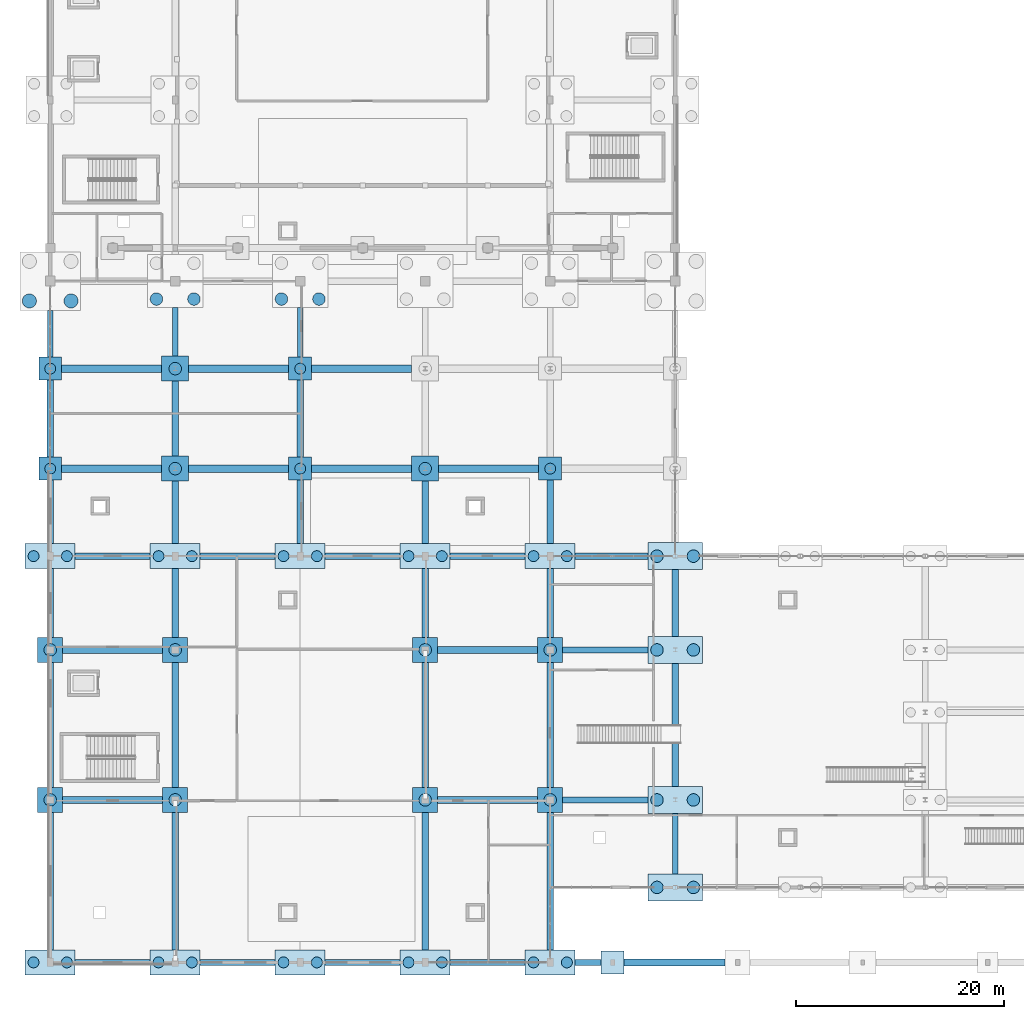
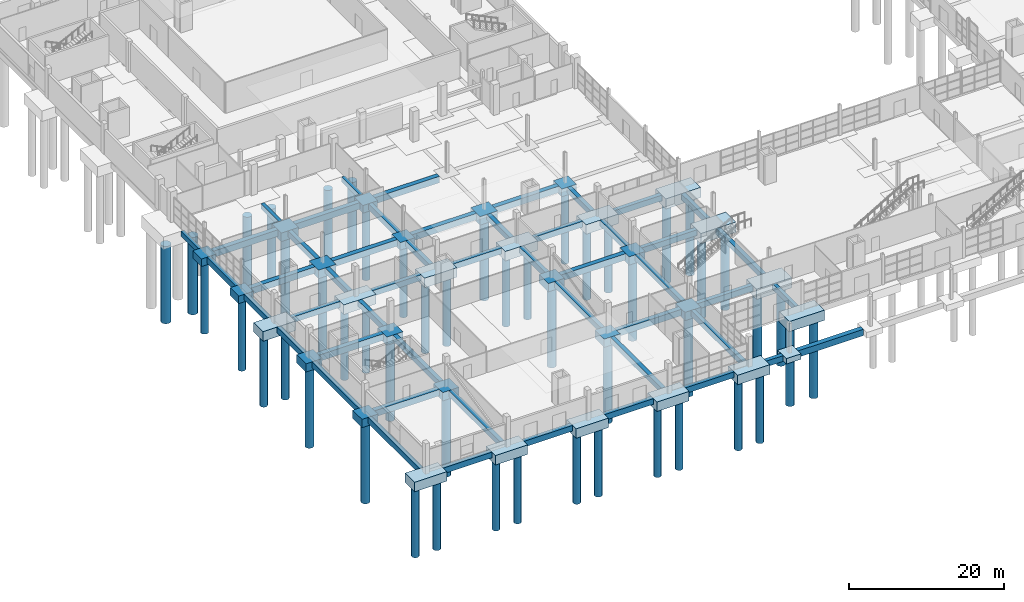
# One storey, part 1 of 82: 81 footings, 50 piles.
"""IFC4 building model written with IfcOpenShell, lengths in metres."""

from ifc_helpers import new_model, si_unit, direction, frame, origin, origin_2d, place, context, subcontext, project, spatial, rectangle, circle, extrude, material, material_profile, profile_set, type_object, element, save


model = new_model("IFC4")

# Units and contexts
model_context = context("Model", 3, precision=1e-05, world=origin(), true_north=direction((0.0, 1.0)))
body_context = subcontext(model_context, "Body", "Model", "MODEL_VIEW")
ifc_project = project(units=[si_unit("LENGTHUNIT", "METRE"), si_unit("AREAUNIT", "SQUARE_METRE"), si_unit("VOLUMEUNIT", "CUBIC_METRE"), si_unit("PLANEANGLEUNIT", "RADIAN"), si_unit("MASSUNIT", "GRAM", prefix="KILO")], contexts=[model_context])

# Site, building, storey
site_placement = place(None, origin())
site = spatial("IfcSite", under=ifc_project, at=site_placement, CompositionType="ELEMENT")
building_placement = place(site_placement, origin())
building = spatial("IfcBuilding", under=site, at=building_placement, Name="Kelmvaro Bay Concert Hall", CompositionType="ELEMENT")
storey_placement = place(building_placement, origin())
storey = spatial("IfcBuildingStorey", under=building, at=storey_placement, Name="L00", CompositionType="ELEMENT", Elevation=0.0)

# Footings
ifc_material_1 = material(Name="Concrete C35/45", Category="concrete")
footing_type_1 = type_object("IfcFootingType", Name="Grade Tie Beam 500x800", PredefinedType="FOOTING_BEAM", material=ifc_material_1)
footing_1_placement = place(storey_placement, frame((0.0, 60.35009765625, -0.7998046875), z_axis=(0.0, 0.0, 1.0), x_axis=(0.0, 1.0, 0.0)))
element("IfcFooting", 1, at=footing_1_placement, inside=storey, type_object=footing_type_1, Name="Grade Tie Beam FDN-TB-112", PredefinedType="FOOTING_BEAM", context=body_context, shape_type="SweptSolid", body=[
    extrude(rectangle(XDim=4.5, YDim=0.5, at=origin_2d()), origin(), (0.0, 0.0, 1.0), 0.800048828125),
])
footing_2_placement = place(storey_placement, frame((12.0, 60.52490234375, -0.7998046875), z_axis=(0.0, 0.0, 1.0), x_axis=(0.0, 1.0, 0.0)))
element("IfcFooting", 2, at=footing_2_placement, inside=storey, type_object=footing_type_1, Name="Grade Tie Beam FDN-TB-121", PredefinedType="FOOTING_BEAM", context=body_context, shape_type="SweptSolid", body=[
    extrude(rectangle(XDim=4.64990234375, YDim=0.5, at=origin_2d()), origin(), (0.0, 0.0, 1.0), 0.800048828125),
])
footing_3_placement = place(storey_placement, frame((24.0, 60.47509765625, -0.7998046875), z_axis=(0.0, 0.0, 1.0), x_axis=(0.0, 1.0, 0.0)))
element("IfcFooting", 3, at=footing_3_placement, inside=storey, type_object=footing_type_1, Name="Grade Tie Beam FDN-TB-127", PredefinedType="FOOTING_BEAM", context=body_context, shape_type="SweptSolid", body=[
    extrude(rectangle(XDim=4.75, YDim=0.5, at=origin_2d()), origin(), (0.0, 0.0, 1.0), 0.800048828125),
])
footing_4_placement = place(storey_placement, frame((60.0, 11.39990234375, -0.7998046875), z_axis=(0.0, 0.0, 1.0), x_axis=(0.0, 1.0, 0.0)))
element("IfcFooting", 4, at=footing_4_placement, inside=storey, type_object=footing_type_1, Name="Grade Tie Beam FDN-TB-143", PredefinedType="FOOTING_BEAM", context=body_context, shape_type="SweptSolid", body=[
    extrude(rectangle(XDim=5.800048828125, YDim=0.5, at=origin_2d()), origin(), (0.0, 0.0, 1.0), 0.800048828125),
])
ifc_material_2 = material(Name="Concrete C35/45", Category="concrete")
footing_type_2 = type_object("IfcFootingType", Name="Grade Tie Beam 600x900", PredefinedType="FOOTING_BEAM", material=ifc_material_2)
for number, where, z_axis, x_axis, name in (
    (5, (6.0, 0.0, -0.89990234375), (0.0, 0.0, 1.0), (1.0, 0.0, 0.0), "Grade Tie Beam FDN-TB-001"),
    (6, (18.0, 0.0, -0.89990234375), (0.0, 0.0, 1.0), (1.0, 0.0, 0.0), "Grade Tie Beam FDN-TB-002"),
    (7, (30.0, 0.0, -0.89990234375), (0.0, 0.0, 1.0), (1.0, 0.0, 0.0), "Grade Tie Beam FDN-TB-003"),
    (8, (42.0, 0.0, -0.89990234375), (0.0, 0.0, 1.0), (1.0, 0.0, 0.0), "Grade Tie Beam FDN-TB-004"),
):
    element("IfcFooting", number, at=place(storey_placement, frame(where, z_axis=z_axis, x_axis=x_axis)), inside=storey, type_object=footing_type_2, Name=name, PredefinedType="FOOTING_BEAM", context=body_context, shape_type="SweptSolid", body=[
        extrude(rectangle(XDim=7.199951171875, YDim=0.60009765625, at=origin_2d()), origin(), (0.0, 0.0, 1.0), 0.89990234375),
    ])
footing_5_placement = place(storey_placement, frame((51.64990234375, 0.0, -0.89990234375), z_axis=(0.0, 0.0, 1.0), x_axis=(1.0, 0.0, 0.0)))
element("IfcFooting", 9, at=footing_5_placement, inside=storey, type_object=footing_type_2, Name="Grade Tie Beam FDN-TB-005", PredefinedType="FOOTING_BEAM", context=body_context, shape_type="SweptSolid", body=[
    extrude(rectangle(XDim=2.5, YDim=0.60009765625, at=origin_2d()), origin(), (0.0, 0.0, 1.0), 0.89990234375),
])
for number, where, z_axis, x_axis, name in (
    (10, (53.300048828125, 15.60009765625, -0.89990234375), (0.0, 0.0, 1.0), (1.0, 0.0, 0.0), "Grade Tie Beam FDN-TB-018"),
    (11, (53.300048828125, 30.0, -0.89990234375), (0.0, 0.0, 1.0), (1.0, 0.0, 0.0), "Grade Tie Beam FDN-TB-033"),
):
    element("IfcFooting", number, at=place(storey_placement, frame(where, z_axis=z_axis, x_axis=x_axis)), inside=storey, type_object=footing_type_2, Name=name, PredefinedType="FOOTING_BEAM", context=body_context, shape_type="SweptSolid", body=[
        extrude(rectangle(XDim=8.199951171875, YDim=0.60009765625, at=origin_2d()), origin(), (0.0, 0.0, 1.0), 0.89990234375),
    ])
for number, where, z_axis, x_axis, name in (
    (12, (6.0, 39.0, -0.89990234375), (0.0, 0.0, 1.0), (1.0, 0.0, 0.0), "Grade Tie Beam FDN-TB-041"),
    (13, (18.0, 39.0, -0.89990234375), (0.0, 0.0, 1.0), (1.0, 0.0, 0.0), "Grade Tie Beam FDN-TB-042"),
    (14, (30.0, 39.0, -0.89990234375), (0.0, 0.0, 1.0), (1.0, 0.0, 0.0), "Grade Tie Beam FDN-TB-043"),
    (15, (42.0, 39.0, -0.89990234375), (0.0, 0.0, 1.0), (1.0, 0.0, 0.0), "Grade Tie Beam FDN-TB-044"),
):
    element("IfcFooting", number, at=place(storey_placement, frame(where, z_axis=z_axis, x_axis=x_axis)), inside=storey, type_object=footing_type_2, Name=name, PredefinedType="FOOTING_BEAM", context=body_context, shape_type="SweptSolid", body=[
        extrude(rectangle(XDim=7.199951171875, YDim=0.60009765625, at=origin_2d()), origin(), (0.0, 0.0, 1.0), 0.89990234375),
    ])
footing_6_placement = place(storey_placement, frame((53.89990234375, 39.0, -0.89990234375), z_axis=(0.0, 0.0, 1.0), x_axis=(1.0, 0.0, 0.0)))
element("IfcFooting", 16, at=footing_6_placement, inside=storey, type_object=footing_type_2, Name="Grade Tie Beam FDN-TB-045", PredefinedType="FOOTING_BEAM", context=body_context, shape_type="SweptSolid", body=[
    extrude(rectangle(XDim=7.0, YDim=0.60009765625, at=origin_2d()), origin(), (0.0, 0.0, 1.0), 0.89990234375),
])
footing_7_placement = place(storey_placement, frame((0.0, 7.800048828125, -0.89990234375), z_axis=(0.0, 0.0, 1.0), x_axis=(0.0, 1.0, 0.0)))
element("IfcFooting", 17, at=footing_7_placement, inside=storey, type_object=footing_type_2, Name="Grade Tie Beam FDN-TB-107", PredefinedType="FOOTING_BEAM", context=body_context, shape_type="SweptSolid", body=[
    extrude(rectangle(XDim=13.199951171875, YDim=0.60009765625, at=origin_2d()), origin(), (0.0, 0.0, 1.0), 0.89990234375),
])
footing_8_placement = place(storey_placement, frame((0.0, 22.800048828125, -0.89990234375), z_axis=(0.0, 0.0, 1.0), x_axis=(0.0, 1.0, 0.0)))
element("IfcFooting", 18, at=footing_8_placement, inside=storey, type_object=footing_type_2, Name="Grade Tie Beam FDN-TB-108", PredefinedType="FOOTING_BEAM", context=body_context, shape_type="SweptSolid", body=[
    extrude(rectangle(XDim=12.0, YDim=0.60009765625, at=origin_2d()), origin(), (0.0, 0.0, 1.0), 0.89990234375),
])
footing_9_placement = place(storey_placement, frame((0.0, 34.5, -0.89990234375), z_axis=(0.0, 0.0, 1.0), x_axis=(0.0, 1.0, 0.0)))
element("IfcFooting", 19, at=footing_9_placement, inside=storey, type_object=footing_type_2, Name="Grade Tie Beam FDN-TB-109", PredefinedType="FOOTING_BEAM", context=body_context, shape_type="SweptSolid", body=[
    extrude(rectangle(XDim=6.60009765625, YDim=0.60009765625, at=origin_2d()), origin(), (0.0, 0.0, 1.0), 0.89990234375),
])
footing_10_placement = place(storey_placement, frame((0.0, 43.25, -0.89990234375), z_axis=(0.0, 0.0, 1.0), x_axis=(0.0, 1.0, 0.0)))
element("IfcFooting", 20, at=footing_10_placement, inside=storey, type_object=footing_type_2, Name="Grade Tie Beam FDN-TB-110", PredefinedType="FOOTING_BEAM", context=body_context, shape_type="SweptSolid", body=[
    extrude(rectangle(XDim=6.10009765625, YDim=0.60009765625, at=origin_2d()), origin(), (0.0, 0.0, 1.0), 0.89990234375),
])
footing_11_placement = place(storey_placement, frame((0.0, 52.199951171875, -0.89990234375), z_axis=(0.0, 0.0, 1.0), x_axis=(0.0, 1.0, 0.0)))
element("IfcFooting", 21, at=footing_11_placement, inside=storey, type_object=footing_type_2, Name="Grade Tie Beam FDN-TB-111", PredefinedType="FOOTING_BEAM", context=body_context, shape_type="SweptSolid", body=[
    extrude(rectangle(XDim=7.39990234375, YDim=0.60009765625, at=origin_2d()), origin(), (0.0, 0.0, 1.0), 0.89990234375),
])
footing_12_placement = place(storey_placement, frame((12.0, 7.800048828125, -0.89990234375), z_axis=(0.0, 0.0, 1.0), x_axis=(0.0, 1.0, 0.0)))
element("IfcFooting", 22, at=footing_12_placement, inside=storey, type_object=footing_type_2, Name="Grade Tie Beam FDN-TB-116", PredefinedType="FOOTING_BEAM", context=body_context, shape_type="SweptSolid", body=[
    extrude(rectangle(XDim=13.199951171875, YDim=0.60009765625, at=origin_2d()), origin(), (0.0, 0.0, 1.0), 0.89990234375),
])
footing_13_placement = place(storey_placement, frame((12.0, 22.800048828125, -0.89990234375), z_axis=(0.0, 0.0, 1.0), x_axis=(0.0, 1.0, 0.0)))
element("IfcFooting", 23, at=footing_13_placement, inside=storey, type_object=footing_type_2, Name="Grade Tie Beam FDN-TB-117", PredefinedType="FOOTING_BEAM", context=body_context, shape_type="SweptSolid", body=[
    extrude(rectangle(XDim=12.0, YDim=0.60009765625, at=origin_2d()), origin(), (0.0, 0.0, 1.0), 0.89990234375),
])
footing_14_placement = place(storey_placement, frame((12.0, 34.5, -0.89990234375), z_axis=(0.0, 0.0, 1.0), x_axis=(0.0, 1.0, 0.0)))
element("IfcFooting", 24, at=footing_14_placement, inside=storey, type_object=footing_type_2, Name="Grade Tie Beam FDN-TB-118", PredefinedType="FOOTING_BEAM", context=body_context, shape_type="SweptSolid", body=[
    extrude(rectangle(XDim=6.60009765625, YDim=0.60009765625, at=origin_2d()), origin(), (0.0, 0.0, 1.0), 0.89990234375),
])
footing_15_placement = place(storey_placement, frame((12.0, 43.199951171875, -0.89990234375), z_axis=(0.0, 0.0, 1.0), x_axis=(0.0, 1.0, 0.0)))
element("IfcFooting", 25, at=footing_15_placement, inside=storey, type_object=footing_type_2, Name="Grade Tie Beam FDN-TB-119", PredefinedType="FOOTING_BEAM", context=body_context, shape_type="SweptSolid", body=[
    extrude(rectangle(XDim=6.0, YDim=0.60009765625, at=origin_2d()), origin(), (0.0, 0.0, 1.0), 0.89990234375),
])
footing_16_placement = place(storey_placement, frame((12.0, 52.199951171875, -0.89990234375), z_axis=(0.0, 0.0, 1.0), x_axis=(0.0, 1.0, 0.0)))
element("IfcFooting", 26, at=footing_16_placement, inside=storey, type_object=footing_type_2, Name="Grade Tie Beam FDN-TB-120", PredefinedType="FOOTING_BEAM", context=body_context, shape_type="SweptSolid", body=[
    extrude(rectangle(XDim=7.199951171875, YDim=0.60009765625, at=origin_2d()), origin(), (0.0, 0.0, 1.0), 0.89990234375),
])
footing_17_placement = place(storey_placement, frame((24.0, 43.25, -0.89990234375), z_axis=(0.0, 0.0, 1.0), x_axis=(0.0, 1.0, 0.0)))
element("IfcFooting", 27, at=footing_17_placement, inside=storey, type_object=footing_type_2, Name="Grade Tie Beam FDN-TB-125", PredefinedType="FOOTING_BEAM", context=body_context, shape_type="SweptSolid", body=[
    extrude(rectangle(XDim=6.10009765625, YDim=0.60009765625, at=origin_2d()), origin(), (0.0, 0.0, 1.0), 0.89990234375),
])
footing_18_placement = place(storey_placement, frame((24.0, 52.199951171875, -0.89990234375), z_axis=(0.0, 0.0, 1.0), x_axis=(0.0, 1.0, 0.0)))
element("IfcFooting", 28, at=footing_18_placement, inside=storey, type_object=footing_type_2, Name="Grade Tie Beam FDN-TB-126", PredefinedType="FOOTING_BEAM", context=body_context, shape_type="SweptSolid", body=[
    extrude(rectangle(XDim=7.39990234375, YDim=0.60009765625, at=origin_2d()), origin(), (0.0, 0.0, 1.0), 0.89990234375),
])
footing_19_placement = place(storey_placement, frame((36.0, 7.800048828125, -0.89990234375), z_axis=(0.0, 0.0, 1.0), x_axis=(0.0, 1.0, 0.0)))
element("IfcFooting", 29, at=footing_19_placement, inside=storey, type_object=footing_type_2, Name="Grade Tie Beam FDN-TB-128", PredefinedType="FOOTING_BEAM", context=body_context, shape_type="SweptSolid", body=[
    extrude(rectangle(XDim=13.199951171875, YDim=0.60009765625, at=origin_2d()), origin(), (0.0, 0.0, 1.0), 0.89990234375),
])
footing_20_placement = place(storey_placement, frame((36.0, 22.800048828125, -0.89990234375), z_axis=(0.0, 0.0, 1.0), x_axis=(0.0, 1.0, 0.0)))
element("IfcFooting", 30, at=footing_20_placement, inside=storey, type_object=footing_type_2, Name="Grade Tie Beam FDN-TB-129", PredefinedType="FOOTING_BEAM", context=body_context, shape_type="SweptSolid", body=[
    extrude(rectangle(XDim=12.0, YDim=0.60009765625, at=origin_2d()), origin(), (0.0, 0.0, 1.0), 0.89990234375),
])
footing_21_placement = place(storey_placement, frame((36.0, 34.5, -0.89990234375), z_axis=(0.0, 0.0, 1.0), x_axis=(0.0, 1.0, 0.0)))
element("IfcFooting", 31, at=footing_21_placement, inside=storey, type_object=footing_type_2, Name="Grade Tie Beam FDN-TB-130", PredefinedType="FOOTING_BEAM", context=body_context, shape_type="SweptSolid", body=[
    extrude(rectangle(XDim=6.60009765625, YDim=0.60009765625, at=origin_2d()), origin(), (0.0, 0.0, 1.0), 0.89990234375),
])
footing_22_placement = place(storey_placement, frame((36.0, 43.199951171875, -0.89990234375), z_axis=(0.0, 0.0, 1.0), x_axis=(0.0, 1.0, 0.0)))
element("IfcFooting", 32, at=footing_22_placement, inside=storey, type_object=footing_type_2, Name="Grade Tie Beam FDN-TB-131", PredefinedType="FOOTING_BEAM", context=body_context, shape_type="SweptSolid", body=[
    extrude(rectangle(XDim=6.0, YDim=0.60009765625, at=origin_2d()), origin(), (0.0, 0.0, 1.0), 0.89990234375),
])
footing_23_placement = place(storey_placement, frame((48.0, 7.800048828125, -0.89990234375), z_axis=(0.0, 0.0, 1.0), x_axis=(0.0, 1.0, 0.0)))
element("IfcFooting", 33, at=footing_23_placement, inside=storey, type_object=footing_type_2, Name="Grade Tie Beam FDN-TB-134", PredefinedType="FOOTING_BEAM", context=body_context, shape_type="SweptSolid", body=[
    extrude(rectangle(XDim=13.199951171875, YDim=0.60009765625, at=origin_2d()), origin(), (0.0, 0.0, 1.0), 0.89990234375),
])
footing_24_placement = place(storey_placement, frame((48.0, 22.800048828125, -0.89990234375), z_axis=(0.0, 0.0, 1.0), x_axis=(0.0, 1.0, 0.0)))
element("IfcFooting", 34, at=footing_24_placement, inside=storey, type_object=footing_type_2, Name="Grade Tie Beam FDN-TB-135", PredefinedType="FOOTING_BEAM", context=body_context, shape_type="SweptSolid", body=[
    extrude(rectangle(XDim=12.0, YDim=0.60009765625, at=origin_2d()), origin(), (0.0, 0.0, 1.0), 0.89990234375),
])
footing_25_placement = place(storey_placement, frame((48.0, 34.5, -0.89990234375), z_axis=(0.0, 0.0, 1.0), x_axis=(0.0, 1.0, 0.0)))
element("IfcFooting", 35, at=footing_25_placement, inside=storey, type_object=footing_type_2, Name="Grade Tie Beam FDN-TB-136", PredefinedType="FOOTING_BEAM", context=body_context, shape_type="SweptSolid", body=[
    extrude(rectangle(XDim=6.60009765625, YDim=0.60009765625, at=origin_2d()), origin(), (0.0, 0.0, 1.0), 0.89990234375),
])
footing_26_placement = place(storey_placement, frame((48.0, 43.25, -0.89990234375), z_axis=(0.0, 0.0, 1.0), x_axis=(0.0, 1.0, 0.0)))
element("IfcFooting", 36, at=footing_26_placement, inside=storey, type_object=footing_type_2, Name="Grade Tie Beam FDN-TB-137", PredefinedType="FOOTING_BEAM", context=body_context, shape_type="SweptSolid", body=[
    extrude(rectangle(XDim=6.10009765625, YDim=0.60009765625, at=origin_2d()), origin(), (0.0, 0.0, 1.0), 0.89990234375),
])
footing_27_placement = place(storey_placement, frame((60.0, 22.800048828125, -0.89990234375), z_axis=(0.0, 0.0, 1.0), x_axis=(0.0, 1.0, 0.0)))
element("IfcFooting", 37, at=footing_27_placement, inside=storey, type_object=footing_type_2, Name="Grade Tie Beam FDN-TB-144", PredefinedType="FOOTING_BEAM", context=body_context, shape_type="SweptSolid", body=[
    extrude(rectangle(XDim=11.800048828125, YDim=0.60009765625, at=origin_2d()), origin(), (0.0, 0.0, 1.0), 0.89990234375),
])
footing_28_placement = place(storey_placement, frame((60.0, 34.5, -0.89990234375), z_axis=(0.0, 0.0, 1.0), x_axis=(0.0, 1.0, 0.0)))
element("IfcFooting", 38, at=footing_28_placement, inside=storey, type_object=footing_type_2, Name="Grade Tie Beam FDN-TB-145", PredefinedType="FOOTING_BEAM", context=body_context, shape_type="SweptSolid", body=[
    extrude(rectangle(XDim=6.39990234375, YDim=0.60009765625, at=origin_2d()), origin(), (0.0, 0.0, 1.0), 0.89990234375),
])
ifc_material_3 = material(Name="Concrete C35/45", Category="concrete")
footing_type_3 = type_object("IfcFootingType", Name="Grade Tie Beam 700x1000", PredefinedType="FOOTING_BEAM", material=ifc_material_3)
footing_29_placement = place(storey_placement, frame((59.949951171875, 0.0, -1.0), z_axis=(0.0, 0.0, 1.0), x_axis=(1.0, 0.0, 0.0)))
element("IfcFooting", 39, at=footing_29_placement, inside=storey, type_object=footing_type_3, Name="Grade Tie Beam FDN-TB-006", PredefinedType="FOOTING_BEAM", context=body_context, shape_type="SweptSolid", body=[
    extrude(rectangle(XDim=9.699951171875, YDim=0.699951171875, at=origin_2d()), origin(), (0.0, 0.0, 1.0), 1.0),
])
for number, where, z_axis, x_axis, name in (
    (40, (6.0, 15.60009765625, -1.0), (0.0, 0.0, 1.0), (1.0, 0.0, 0.0), "Grade Tie Beam FDN-TB-016"),
    (41, (42.0, 15.60009765625, -1.0), (0.0, 0.0, 1.0), (1.0, 0.0, 0.0), "Grade Tie Beam FDN-TB-017"),
    (42, (6.0, 30.0, -1.0), (0.0, 0.0, 1.0), (1.0, 0.0, 0.0), "Grade Tie Beam FDN-TB-031"),
    (43, (42.0, 30.0, -1.0), (0.0, 0.0, 1.0), (1.0, 0.0, 0.0), "Grade Tie Beam FDN-TB-032"),
    (44, (5.89990234375, 47.39990234375, -1.0), (0.0, 0.0, 1.0), (1.0, 0.0, 0.0), "Grade Tie Beam FDN-TB-055"),
    (45, (18.10009765625, 47.39990234375, -1.0), (0.0, 0.0, 1.0), (1.0, 0.0, 0.0), "Grade Tie Beam FDN-TB-056"),
    (46, (29.89990234375, 47.39990234375, -1.0), (0.0, 0.0, 1.0), (1.0, 0.0, 0.0), "Grade Tie Beam FDN-TB-057"),
    (47, (42.10009765625, 47.39990234375, -1.0), (0.0, 0.0, 1.0), (1.0, 0.0, 0.0), "Grade Tie Beam FDN-TB-058"),
    (48, (5.89990234375, 57.0, -1.0), (0.0, 0.0, 1.0), (1.0, 0.0, 0.0), "Grade Tie Beam FDN-TB-062"),
    (49, (18.10009765625, 57.0, -1.0), (0.0, 0.0, 1.0), (1.0, 0.0, 0.0), "Grade Tie Beam FDN-TB-063"),
    (50, (29.89990234375, 57.0, -1.0), (0.0, 0.0, 1.0), (1.0, 0.0, 0.0), "Grade Tie Beam FDN-TB-064"),
):
    element("IfcFooting", number, at=place(storey_placement, frame(where, z_axis=z_axis, x_axis=x_axis)), inside=storey, type_object=footing_type_3, Name=name, PredefinedType="FOOTING_BEAM", context=body_context, shape_type="SweptSolid", body=[
        extrude(rectangle(XDim=9.60009765625, YDim=0.699951171875, at=origin_2d()), origin(), (0.0, 0.0, 1.0), 1.0),
    ])
ifc_material_4 = material(Name="Concrete C35/45", Category="concrete")
footing_type_4 = type_object("IfcFootingType", Name="Pad Footing 2200x2200x850", PredefinedType="PAD_FOOTING", material=ifc_material_4)
footing_30_placement = place(storey_placement, frame((54.0, 0.0, -0.85009765625), z_axis=(0.0, 0.0, 1.0), x_axis=(1.0, 0.0, 0.0)))
element("IfcFooting", 51, at=footing_30_placement, inside=storey, type_object=footing_type_4, Name="Pad Footing FDN-PF-134", PredefinedType="PAD_FOOTING", context=body_context, shape_type="SweptSolid", body=[
    extrude(rectangle(XDim=2.199951171875, YDim=2.199951171875, at=origin_2d()), origin(), (0.0, 0.0, 1.0), 0.85009765625),
])
ifc_material_5 = material(Name="Concrete C35/45", Category="concrete")
footing_type_5 = type_object("IfcFootingType", Name="Pile Cap 2200x2200x1200", PredefinedType="PILE_CAP", material=ifc_material_5)
for number, where, z_axis, x_axis, name in (
    (52, (0.0, 47.39990234375, -1.2001953125), (0.0, 0.0, 1.0), (1.0, 0.0, 0.0), "Pile Cap FDN-PC-112"),
    (53, (0.0, 57.0, -1.2001953125), (0.0, 0.0, 1.0), (1.0, 0.0, 0.0), "Pile Cap FDN-PC-113"),
    (54, (24.0, 47.39990234375, -1.2001953125), (0.0, 0.0, 1.0), (1.0, 0.0, 0.0), "Pile Cap FDN-PC-116"),
    (55, (24.0, 57.0, -1.2001953125), (0.0, 0.0, 1.0), (1.0, 0.0, 0.0), "Pile Cap FDN-PC-117"),
    (56, (48.0, 47.39990234375, -1.2001953125), (0.0, 0.0, 1.0), (1.0, 0.0, 0.0), "Pile Cap FDN-PC-120"),
):
    element("IfcFooting", number, at=place(storey_placement, frame(where, z_axis=z_axis, x_axis=x_axis)), inside=storey, type_object=footing_type_5, Name=name, PredefinedType="PILE_CAP", context=body_context, shape_type="SweptSolid", body=[
        extrude(rectangle(XDim=2.199951171875, YDim=2.199951171875, at=origin_2d()), origin(), (0.0, 0.0, 1.0), 1.199951171875),
    ])
ifc_material_6 = material(Name="Concrete C35/45", Category="concrete")
footing_type_6 = type_object("IfcFootingType", Name="Pile Cap 2400x2400x1300", PredefinedType="PILE_CAP", material=ifc_material_6)
for number, where, z_axis, x_axis, name in (
    (57, (0.0, 15.60009765625, -1.2998046875), (0.0, 0.0, 1.0), (1.0, 0.0, 0.0), "Pile Cap FDN-PC-063"),
    (58, (0.0, 30.0, -1.2998046875), (0.0, 0.0, 1.0), (1.0, 0.0, 0.0), "Pile Cap FDN-PC-064"),
    (59, (12.0, 15.60009765625, -1.2998046875), (0.0, 0.0, 1.0), (1.0, 0.0, 0.0), "Pile Cap FDN-PC-065"),
    (60, (12.0, 30.0, -1.2998046875), (0.0, 0.0, 1.0), (1.0, 0.0, 0.0), "Pile Cap FDN-PC-066"),
    (61, (36.0, 15.60009765625, -1.2998046875), (0.0, 0.0, 1.0), (1.0, 0.0, 0.0), "Pile Cap FDN-PC-067"),
    (62, (36.0, 30.0, -1.2998046875), (0.0, 0.0, 1.0), (1.0, 0.0, 0.0), "Pile Cap FDN-PC-068"),
    (63, (48.0, 15.60009765625, -1.2998046875), (0.0, 0.0, 1.0), (1.0, 0.0, 0.0), "Pile Cap FDN-PC-069"),
    (64, (48.0, 30.0, -1.2998046875), (0.0, 0.0, 1.0), (1.0, 0.0, 0.0), "Pile Cap FDN-PC-070"),
):
    element("IfcFooting", number, at=place(storey_placement, frame(where, z_axis=z_axis, x_axis=x_axis)), inside=storey, type_object=footing_type_6, Name=name, PredefinedType="PILE_CAP", context=body_context, shape_type="SweptSolid", body=[
        extrude(rectangle(XDim=2.39990234375, YDim=2.39990234375, at=origin_2d()), origin(), (0.0, 0.0, 1.0), 1.300048828125),
    ])
ifc_material_7 = material(Name="Concrete C35/45", Category="concrete")
footing_type_7 = type_object("IfcFootingType", Name="Pile Cap 2600x2400x1350", PredefinedType="PILE_CAP", material=ifc_material_7)
for number, where, z_axis, x_axis, name in (
    (65, (12.0, 47.39990234375, -1.35009765625), (0.0, 0.0, 1.0), (1.0, 0.0, 0.0), "Pile Cap FDN-PC-114"),
    (66, (12.0, 57.0, -1.35009765625), (0.0, 0.0, 1.0), (1.0, 0.0, 0.0), "Pile Cap FDN-PC-115"),
    (67, (36.0, 47.39990234375, -1.35009765625), (0.0, 0.0, 1.0), (1.0, 0.0, 0.0), "Pile Cap FDN-PC-118"),
):
    element("IfcFooting", number, at=place(storey_placement, frame(where, z_axis=z_axis, x_axis=x_axis)), inside=storey, type_object=footing_type_7, Name=name, PredefinedType="PILE_CAP", context=body_context, shape_type="SweptSolid", body=[
        extrude(rectangle(XDim=2.60009765625, YDim=2.39990234375, at=origin_2d()), origin(), (0.0, 0.0, 1.0), 1.35009765625),
    ])
ifc_material_8 = material(Name="Concrete C35/45", Category="concrete")
footing_type_8 = type_object("IfcFootingType", Name="Pile Cap 4800x2400x1500", PredefinedType="PILE_CAP", material=ifc_material_8)
for number, where, z_axis, x_axis, name in (
    (68, (0.0, 0.0, -1.5), (0.0, 0.0, 1.0), (1.0, 0.0, 0.0), "Pile Cap FDN-PC-053"),
    (69, (0.0, 39.0, -1.5), (0.0, 0.0, 1.0), (1.0, 0.0, 0.0), "Pile Cap FDN-PC-054"),
    (70, (12.0, 0.0, -1.5), (0.0, 0.0, 1.0), (1.0, 0.0, 0.0), "Pile Cap FDN-PC-055"),
    (71, (12.0, 39.0, -1.5), (0.0, 0.0, 1.0), (1.0, 0.0, 0.0), "Pile Cap FDN-PC-056"),
    (72, (24.0, 0.0, -1.5), (0.0, 0.0, 1.0), (1.0, 0.0, 0.0), "Pile Cap FDN-PC-057"),
    (73, (24.0, 39.0, -1.5), (0.0, 0.0, 1.0), (1.0, 0.0, 0.0), "Pile Cap FDN-PC-058"),
    (74, (36.0, 0.0, -1.5), (0.0, 0.0, 1.0), (1.0, 0.0, 0.0), "Pile Cap FDN-PC-059"),
    (75, (36.0, 39.0, -1.5), (0.0, 0.0, 1.0), (1.0, 0.0, 0.0), "Pile Cap FDN-PC-060"),
    (76, (48.0, 0.0, -1.5), (0.0, 0.0, 1.0), (1.0, 0.0, 0.0), "Pile Cap FDN-PC-061"),
    (77, (48.0, 39.0, -1.5), (0.0, 0.0, 1.0), (1.0, 0.0, 0.0), "Pile Cap FDN-PC-062"),
):
    element("IfcFooting", number, at=place(storey_placement, frame(where, z_axis=z_axis, x_axis=x_axis)), inside=storey, type_object=footing_type_8, Name=name, PredefinedType="PILE_CAP", context=body_context, shape_type="SweptSolid", body=[
        extrude(rectangle(XDim=4.800048828125, YDim=2.39990234375, at=origin_2d()), origin(), (0.0, 0.0, 1.0), 1.5),
    ])
ifc_material_9 = material(Name="Concrete C35/45", Category="concrete")
footing_type_9 = type_object("IfcFootingType", Name="Pile Cap 5200x2600x1600", PredefinedType="PILE_CAP", material=ifc_material_9)
for number, where, z_axis, x_axis, name in (
    (78, (60.0, 7.199951171875, -1.60009765625), (0.0, 0.0, 1.0), (1.0, 0.0, 0.0), "Pile Cap FDN-PC-090"),
    (79, (60.0, 15.60009765625, -1.60009765625), (0.0, 0.0, 1.0), (1.0, 0.0, 0.0), "Pile Cap FDN-PC-091"),
    (80, (60.0, 30.0, -1.60009765625), (0.0, 0.0, 1.0), (1.0, 0.0, 0.0), "Pile Cap FDN-PC-092"),
    (81, (60.0, 39.0, -1.60009765625), (0.0, 0.0, 1.0), (1.0, 0.0, 0.0), "Pile Cap FDN-PC-093"),
):
    element("IfcFooting", number, at=place(storey_placement, frame(where, z_axis=z_axis, x_axis=x_axis)), inside=storey, type_object=footing_type_9, Name=name, PredefinedType="PILE_CAP", context=body_context, shape_type="SweptSolid", body=[
        extrude(rectangle(XDim=5.199951171875, YDim=2.60009765625, at=origin_2d()), origin(), (0.0, 0.0, 1.0), 1.60009765625),
    ])

# Piles
ifc_material_10 = material(Name="Concrete C35/45", Category="concrete")
ifc_material_profile_1 = material_profile(ifc_material_10, circle(Radius=0.52490234375, at=origin_2d()), Name="PILE-BORED-1050")
ifc_profile_set_1 = profile_set([ifc_material_profile_1], Name="Concrete C35/45")
pile_type_1 = type_object("IfcPileType", Name="Rock Shaft Bored Pile D1050", PredefinedType="BORED", material=ifc_profile_set_1)
for number, where, z_axis, x_axis, name in (
    (82, (-1.60009765625, 0.0, -1.39990234375), (0.0, 0.0, -1.0), (1.0, 0.0, 0.0), "Bored Rock Shaft FDN-BP-0149"),
    (83, (1.60009765625, 0.0, -1.39990234375), (0.0, 0.0, -1.0), (1.0, 0.0, 0.0), "Bored Rock Shaft FDN-BP-0150"),
    (84, (-1.60009765625, 39.0, -1.39990234375), (0.0, 0.0, -1.0), (1.0, 0.0, 0.0), "Bored Rock Shaft FDN-BP-0151"),
    (85, (1.60009765625, 39.0, -1.39990234375), (0.0, 0.0, -1.0), (1.0, 0.0, 0.0), "Bored Rock Shaft FDN-BP-0152"),
    (86, (10.39990234375, 0.0, -1.39990234375), (0.0, 0.0, -1.0), (1.0, 0.0, 0.0), "Bored Rock Shaft FDN-BP-0153"),
    (87, (13.60009765625, 0.0, -1.39990234375), (0.0, 0.0, -1.0), (1.0, 0.0, 0.0), "Bored Rock Shaft FDN-BP-0154"),
    (88, (10.39990234375, 39.0, -1.39990234375), (0.0, 0.0, -1.0), (1.0, 0.0, 0.0), "Bored Rock Shaft FDN-BP-0155"),
    (89, (13.60009765625, 39.0, -1.39990234375), (0.0, 0.0, -1.0), (1.0, 0.0, 0.0), "Bored Rock Shaft FDN-BP-0156"),
    (90, (22.39990234375, 0.0, -1.39990234375), (0.0, 0.0, -1.0), (1.0, 0.0, 0.0), "Bored Rock Shaft FDN-BP-0157"),
    (91, (25.60009765625, 0.0, -1.39990234375), (0.0, 0.0, -1.0), (1.0, 0.0, 0.0), "Bored Rock Shaft FDN-BP-0158"),
    (92, (22.39990234375, 39.0, -1.39990234375), (0.0, 0.0, -1.0), (1.0, 0.0, 0.0), "Bored Rock Shaft FDN-BP-0159"),
    (93, (25.60009765625, 39.0, -1.39990234375), (0.0, 0.0, -1.0), (1.0, 0.0, 0.0), "Bored Rock Shaft FDN-BP-0160"),
    (94, (34.39990234375, 0.0, -1.39990234375), (0.0, 0.0, -1.0), (1.0, 0.0, 0.0), "Bored Rock Shaft FDN-BP-0161"),
    (95, (37.60009765625, 0.0, -1.39990234375), (0.0, 0.0, -1.0), (1.0, 0.0, 0.0), "Bored Rock Shaft FDN-BP-0162"),
    (96, (34.39990234375, 39.0, -1.39990234375), (0.0, 0.0, -1.0), (1.0, 0.0, 0.0), "Bored Rock Shaft FDN-BP-0163"),
    (97, (37.60009765625, 39.0, -1.39990234375), (0.0, 0.0, -1.0), (1.0, 0.0, 0.0), "Bored Rock Shaft FDN-BP-0164"),
    (98, (46.39990234375, 0.0, -1.39990234375), (0.0, 0.0, -1.0), (1.0, 0.0, 0.0), "Bored Rock Shaft FDN-BP-0165"),
    (99, (49.60009765625, 0.0, -1.39990234375), (0.0, 0.0, -1.0), (1.0, 0.0, 0.0), "Bored Rock Shaft FDN-BP-0166"),
    (100, (46.39990234375, 39.0, -1.39990234375), (0.0, 0.0, -1.0), (1.0, 0.0, 0.0), "Bored Rock Shaft FDN-BP-0167"),
    (101, (49.60009765625, 39.0, -1.39990234375), (0.0, 0.0, -1.0), (1.0, 0.0, 0.0), "Bored Rock Shaft FDN-BP-0168"),
):
    element("IfcPile", number, at=place(storey_placement, frame(where, z_axis=z_axis, x_axis=x_axis)), inside=storey, type_object=pile_type_1, Name=name, PredefinedType="BORED", context=body_context, shape_type="SweptSolid", body=[
        extrude(circle(Radius=0.52490234375, at=origin_2d()), origin(), (0.0, 0.0, 1.0), 11.10009765625),
    ])
for number, where, z_axis, x_axis, name in (
    (102, (0.0, 47.39990234375, -1.10009765625), (0.0, 0.0, -1.0), (1.0, 0.0, 0.0), "Bored Rock Shaft FDN-BP-0283"),
    (103, (0.0, 57.0, -1.10009765625), (0.0, 0.0, -1.0), (1.0, 0.0, 0.0), "Bored Rock Shaft FDN-BP-0284"),
    (104, (24.0, 47.39990234375, -1.10009765625), (0.0, 0.0, -1.0), (1.0, 0.0, 0.0), "Bored Rock Shaft FDN-BP-0287"),
    (105, (24.0, 57.0, -1.10009765625), (0.0, 0.0, -1.0), (1.0, 0.0, 0.0), "Bored Rock Shaft FDN-BP-0288"),
    (106, (48.0, 47.39990234375, -1.10009765625), (0.0, 0.0, -1.0), (1.0, 0.0, 0.0), "Bored Rock Shaft FDN-BP-0291"),
):
    element("IfcPile", number, at=place(storey_placement, frame(where, z_axis=z_axis, x_axis=x_axis)), inside=storey, type_object=pile_type_1, Name=name, PredefinedType="BORED", context=body_context, shape_type="SweptSolid", body=[
        extrude(circle(Radius=0.52490234375, at=origin_2d()), origin(), (0.0, 0.0, 1.0), 11.39990234375),
    ])
ifc_material_11 = material(Name="Concrete C35/45", Category="concrete")
ifc_material_profile_2 = material_profile(ifc_material_11, circle(Radius=0.60009765625, at=origin_2d()), Name="PILE-BORED-1200")
ifc_profile_set_2 = profile_set([ifc_material_profile_2], Name="Concrete C35/45")
pile_type_2 = type_object("IfcPileType", Name="Rock Shaft Bored Pile D1200", PredefinedType="BORED", material=ifc_profile_set_2)
for number, where, z_axis, x_axis, name in (
    (107, (10.199951171875, 63.679931640625, -1.699951171875), (0.0, 0.0, -1.0), (1.0, 0.0, 0.0), "Bored Rock Shaft FDN-BP-0009"),
    (108, (13.800048828125, 63.679931640625, -1.699951171875), (0.0, 0.0, -1.0), (1.0, 0.0, 0.0), "Bored Rock Shaft FDN-BP-0010"),
    (109, (22.199951171875, 63.679931640625, -1.699951171875), (0.0, 0.0, -1.0), (1.0, 0.0, 0.0), "Bored Rock Shaft FDN-BP-0017"),
    (110, (25.800048828125, 63.679931640625, -1.699951171875), (0.0, 0.0, -1.0), (1.0, 0.0, 0.0), "Bored Rock Shaft FDN-BP-0018"),
):
    element("IfcPile", number, at=place(storey_placement, frame(where, z_axis=z_axis, x_axis=x_axis)), inside=storey, type_object=pile_type_2, Name=name, PredefinedType="BORED", context=body_context, shape_type="SweptSolid", body=[
        extrude(circle(Radius=0.60009765625, at=origin_2d()), origin(), (0.0, 0.0, 1.0), 12.300048828125),
    ])
for number, where, z_axis, x_axis, name in (
    (111, (0.0, 15.60009765625, -1.199951171875), (0.0, 0.0, -1.0), (1.0, 0.0, 0.0), "Bored Rock Shaft FDN-BP-0169"),
    (112, (0.0, 30.0, -1.199951171875), (0.0, 0.0, -1.0), (1.0, 0.0, 0.0), "Bored Rock Shaft FDN-BP-0170"),
    (113, (12.0, 15.60009765625, -1.199951171875), (0.0, 0.0, -1.0), (1.0, 0.0, 0.0), "Bored Rock Shaft FDN-BP-0171"),
    (114, (12.0, 30.0, -1.199951171875), (0.0, 0.0, -1.0), (1.0, 0.0, 0.0), "Bored Rock Shaft FDN-BP-0172"),
    (115, (36.0, 15.60009765625, -1.199951171875), (0.0, 0.0, -1.0), (1.0, 0.0, 0.0), "Bored Rock Shaft FDN-BP-0173"),
    (116, (36.0, 30.0, -1.199951171875), (0.0, 0.0, -1.0), (1.0, 0.0, 0.0), "Bored Rock Shaft FDN-BP-0174"),
    (117, (48.0, 15.60009765625, -1.199951171875), (0.0, 0.0, -1.0), (1.0, 0.0, 0.0), "Bored Rock Shaft FDN-BP-0175"),
    (118, (48.0, 30.0, -1.199951171875), (0.0, 0.0, -1.0), (1.0, 0.0, 0.0), "Bored Rock Shaft FDN-BP-0176"),
):
    element("IfcPile", number, at=place(storey_placement, frame(where, z_axis=z_axis, x_axis=x_axis)), inside=storey, type_object=pile_type_2, Name=name, PredefinedType="BORED", context=body_context, shape_type="SweptSolid", body=[
        extrude(circle(Radius=0.60009765625, at=origin_2d()), origin(), (0.0, 0.0, 1.0), 12.800048828125),
    ])
for number, where, z_axis, x_axis, name in (
    (119, (58.25, 7.199951171875, -1.5), (0.0, 0.0, -1.0), (1.0, 0.0, 0.0), "Bored Rock Shaft FDN-BP-0240"),
    (120, (61.75, 7.199951171875, -1.5), (0.0, 0.0, -1.0), (1.0, 0.0, 0.0), "Bored Rock Shaft FDN-BP-0241"),
    (121, (58.25, 15.60009765625, -1.5), (0.0, 0.0, -1.0), (1.0, 0.0, 0.0), "Bored Rock Shaft FDN-BP-0242"),
    (122, (61.75, 15.60009765625, -1.5), (0.0, 0.0, -1.0), (1.0, 0.0, 0.0), "Bored Rock Shaft FDN-BP-0243"),
    (123, (58.25, 30.0, -1.5), (0.0, 0.0, -1.0), (1.0, 0.0, 0.0), "Bored Rock Shaft FDN-BP-0244"),
    (124, (61.75, 30.0, -1.5), (0.0, 0.0, -1.0), (1.0, 0.0, 0.0), "Bored Rock Shaft FDN-BP-0245"),
    (125, (58.25, 39.0, -1.5), (0.0, 0.0, -1.0), (1.0, 0.0, 0.0), "Bored Rock Shaft FDN-BP-0246"),
    (126, (61.75, 39.0, -1.5), (0.0, 0.0, -1.0), (1.0, 0.0, 0.0), "Bored Rock Shaft FDN-BP-0247"),
):
    element("IfcPile", number, at=place(storey_placement, frame(where, z_axis=z_axis, x_axis=x_axis)), inside=storey, type_object=pile_type_2, Name=name, PredefinedType="BORED", context=body_context, shape_type="SweptSolid", body=[
        extrude(circle(Radius=0.60009765625, at=origin_2d()), origin(), (0.0, 0.0, 1.0), 12.5),
    ])
for number, where, z_axis, x_axis, name in (
    (127, (12.0, 47.39990234375, -1.25), (0.0, 0.0, -1.0), (1.0, 0.0, 0.0), "Bored Rock Shaft FDN-BP-0285"),
    (128, (12.0, 57.0, -1.25), (0.0, 0.0, -1.0), (1.0, 0.0, 0.0), "Bored Rock Shaft FDN-BP-0286"),
    (129, (36.0, 47.39990234375, -1.25), (0.0, 0.0, -1.0), (1.0, 0.0, 0.0), "Bored Rock Shaft FDN-BP-0289"),
):
    element("IfcPile", number, at=place(storey_placement, frame(where, z_axis=z_axis, x_axis=x_axis)), inside=storey, type_object=pile_type_2, Name=name, PredefinedType="BORED", context=body_context, shape_type="SweptSolid", body=[
        extrude(circle(Radius=0.60009765625, at=origin_2d()), origin(), (0.0, 0.0, 1.0), 12.75),
    ])
ifc_material_12 = material(Name="Concrete C35/45", Category="concrete")
ifc_material_profile_3 = material_profile(ifc_material_12, circle(Radius=0.675048828125, at=origin_2d()), Name="PILE-BORED-1350")
ifc_profile_set_3 = profile_set([ifc_material_profile_3], Name="Concrete C35/45")
pile_type_3 = type_object("IfcPileType", Name="Rock Shaft Bored Pile D1350", PredefinedType="BORED", material=ifc_profile_set_3)
for number, where, z_axis, x_axis, name in (
    (130, (-2.0, 63.5, -1.85009765625), (0.0, 0.0, -1.0), (1.0, 0.0, 0.0), "Bored Rock Shaft FDN-BP-0001"),
    (131, (2.0, 63.5, -1.85009765625), (0.0, 0.0, -1.0), (1.0, 0.0, 0.0), "Bored Rock Shaft FDN-BP-0002"),
):
    element("IfcPile", number, at=place(storey_placement, frame(where, z_axis=z_axis, x_axis=x_axis)), inside=storey, type_object=pile_type_3, Name=name, PredefinedType="BORED", context=body_context, shape_type="SweptSolid", body=[
        extrude(circle(Radius=0.675048828125, at=origin_2d()), origin(), (0.0, 0.0, 1.0), 12.14990234375),
    ])

save(model, "model.ifc")
